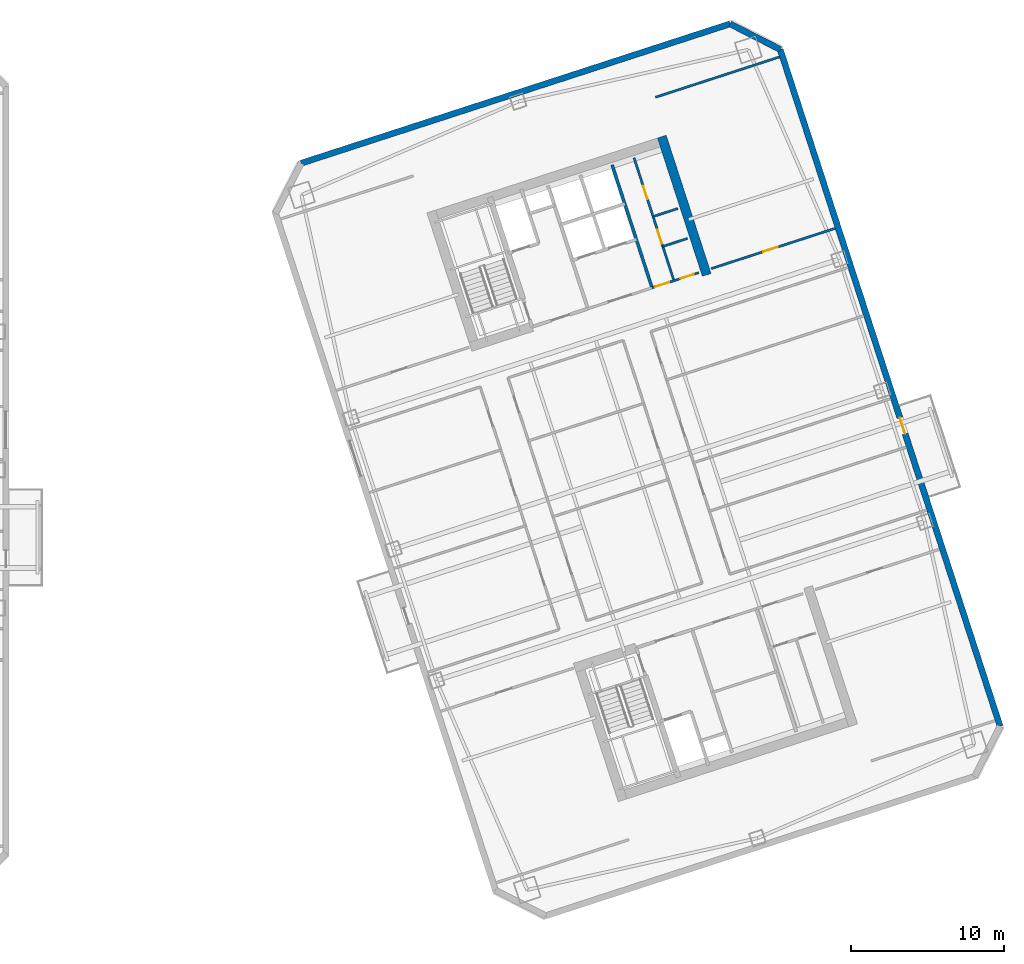
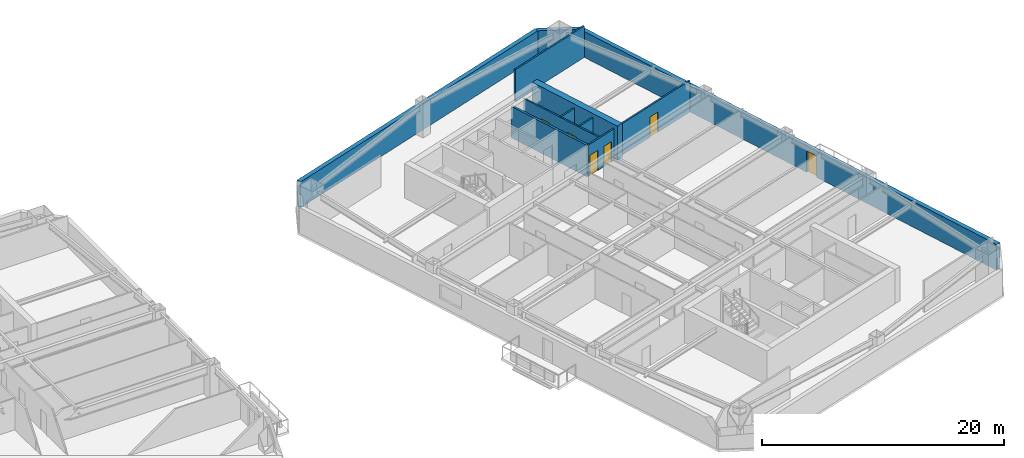
# One storey, part 9 of 14: 11 walls, 6 doors, 6 openings.
"""IFC4 building model written with IfcOpenShell, lengths in metres."""

from ifc_helpers import new_model, si_unit, direction, frame, frame_2d, origin, place, context, subcontext, project, spatial, rectangle, extrude, material, layer, layer_set, type_object, element, fill, save


model = new_model("IFC4")

# Units and contexts
model_context = context("Model", 3, precision=1e-05, world=origin(), true_north=direction((0.0, 1.0)))
body_context = subcontext(model_context, "Body", "Model", "MODEL_VIEW")
ifc_project = project(units=[si_unit("LENGTHUNIT", "METRE"), si_unit("AREAUNIT", "SQUARE_METRE"), si_unit("VOLUMEUNIT", "CUBIC_METRE"), si_unit("PLANEANGLEUNIT", "RADIAN"), si_unit("MASSUNIT", "GRAM", prefix="KILO")], contexts=[model_context])

# Site, building, storey
site_placement = place(None, origin())
site = spatial("IfcSite", under=ifc_project, at=site_placement, CompositionType="ELEMENT")
building_placement = place(site_placement, origin())
building = spatial("IfcBuilding", under=site, at=building_placement, Name="Qiaolan Cultural Towers", CompositionType="ELEMENT")
storey_placement = place(building_placement, frame((0.0, 0.0, 124.199951171875)))
storey = spatial("IfcBuildingStorey", under=building, at=storey_placement, Name="L32", CompositionType="ELEMENT", Elevation=124.199951171875)

# Walls
ifc_material_1 = material(Name="Concrete C55", Category="concrete")
ifc_layer_1 = layer(ifc_material_1, 0.60009765625)
ifc_layer_set_1 = layer_set([ifc_layer_1], Name="Concrete C55")
wall_type_1 = type_object("IfcWallType", Name="WL-CORE-600", PredefinedType="SHEAR", material=ifc_layer_set_1)
wall_1_placement = place(storey_placement, frame((94.4921875, 46.710205078125, 0.0), z_axis=(0.0, 0.0, 1.0), x_axis=(-0.309010370028, 0.95105866865, 0.0)))
element("IfcWall", 1, at=wall_1_placement, inside=storey, type_object=wall_type_1, Name="L32 T2-CN East Core Shear Wall", PredefinedType="SHEAR", context=body_context, shape_type="SweptSolid", body=[
    extrude(rectangle(XDim=9.47998046875, YDim=0.60009765625, at=frame_2d((4.739990234375, 0.0))), origin(), (0.0, 0.0, 1.0), 3.449951171875),
])
ifc_material_2 = material(Name="Precast Concrete C50 Honed Stone Pier", Category="masonry")
ifc_layer_2 = layer(ifc_material_2, 0.39990234375)
ifc_layer_set_2 = layer_set([ifc_layer_2], Name="Precast Concrete C50 Honed Stone Pier")
wall_type_2 = type_object("IfcWallType", Name="WL-EXT-PIER-400", PredefinedType="SOLIDWALL", material=ifc_layer_set_2)
wall_2_placement = place(storey_placement, frame((68.046875, 53.99462890625, 0.0), z_axis=(0.0, 0.0, 1.0), x_axis=(0.95105505922, 0.309021478754, 0.0)))
element("IfcWall", 2, at=wall_2_placement, inside=storey, type_object=wall_type_2, Name="L32 East Tower Precast Pier Facade Wall F3", PredefinedType="SOLIDWALL", context=body_context, shape_type="SweptSolid", body=[
    extrude(rectangle(XDim=29.39990234375, YDim=0.39990234375, at=frame_2d((14.699951171875, 0.0))), origin(), (0.0, 0.0, 1.0), 2.610107421875),
])
wall_3_placement = place(storey_placement, frame((96.0078125, 63.079833984375, 0.0), z_axis=(0.0, 0.0, 1.0), x_axis=(0.891001999643, -0.45399937955, 0.0)))
element("IfcWall", 3, at=wall_3_placement, inside=storey, type_object=wall_type_2, Name="L32 East Tower Precast Pier Facade Wall F4", PredefinedType="SOLIDWALL", context=body_context, shape_type="SweptSolid", body=[
    extrude(rectangle(XDim=3.67724609375, YDim=0.39990234375, at=frame_2d((1.838623046875, 0.0))), origin(), (0.0, 0.0, 1.0), 2.610107421875),
])

# Wall, opening, door
wall_4_placement = place(storey_placement, frame((99.2841796875, 61.410400390625, 0.0), z_axis=(0.0, 0.0, 1.0), x_axis=(0.309017542002, -0.95105633836, 0.0)))
wall_4 = element("IfcWall", 4, at=wall_4_placement, inside=storey, type_object=wall_type_2, Name="L32 East Tower Precast Pier Facade Wall F5", PredefinedType="SOLIDWALL", context=body_context, shape_type="SweptSolid", body=[
    extrude(rectangle(XDim=46.39990234375, YDim=0.39990234375, at=frame_2d((23.199951171875, 0.0))), origin(), (0.0, 0.0, 1.0), 2.610107421875),
])
opening_1_placement = place(wall_4_placement, frame((25.25, 0.0, 0.0)))
opening_1 = element("IfcOpeningElement", 5, at=opening_1_placement, cuts=wall_4, Name="Opening BD-01", PredefinedType="OPENING", context=body_context, shape_type="SweptSolid", body=[
    extrude(rectangle(XDim=1.10009765625, YDim=2.14990234375, at=frame_2d((0.550048828125, 1.074951171875))), frame((0.0, 0.2099609375, 0.0), z_axis=(0.0, -1.0, 0.0), x_axis=(1.0, 0.0, 0.0)), (0.0, 0.0, 1.0), 0.419921875),
])
ifc_material_3 = material(Name="Thermally Broken Aluminium Glazed Terrace Door", Category="aluminium")
door_type_1 = type_object("IfcDoorType", Name="DR-BAL-1100", OperationType="NOTDEFINED", PredefinedType="DOOR", material=ifc_material_3)
door_1_placement = place(opening_1_placement, origin())
door_1 = element("IfcDoor", 6, at=door_1_placement, inside=storey, type_object=door_type_1, Name="L32 T2 East Tree Balcony Door", OperationType="SINGLE_SWING_RIGHT", OverallHeight=2.14990234375, OverallWidth=1.10009765625, PredefinedType="DOOR", context=body_context, shape_type="SweptSolid", body=[
    extrude(rectangle(XDim=1.10009765625, YDim=2.14990234375, at=frame_2d((0.550048828125, 1.074951171875))), frame((0.0, 0.02490234375, 0.0), z_axis=(0.0, -1.0, 0.0), x_axis=(1.0, 0.0, 0.0)), (0.0, 0.0, 1.0), 0.050048828125),
])
fill(opening_1, door_1)

# Wall
ifc_material_4 = material(Name="Concrete C35 Fire Wall", Category="concrete")
ifc_layer_3 = layer(ifc_material_4, 0.199951171875)
ifc_layer_set_3 = layer_set([ifc_layer_3], Name="Concrete C35 Fire Wall")
wall_type_3 = type_object("IfcWallType", Name="WL-FIRE-200", PredefinedType="PARTITIONING", material=ifc_layer_set_3)
wall_5_placement = place(storey_placement, frame((90.92822265625, 45.86767578125, 0.0), z_axis=(0.0, 0.0, 1.0), x_axis=(-0.309042196757, 0.951048327176, 0.0)))
element("IfcWall", 7, at=wall_5_placement, inside=storey, type_object=wall_type_3, Name="L32 T2-CN Lift Core East Wall", PredefinedType="PARTITIONING", context=body_context, shape_type="SweptSolid", body=[
    extrude(rectangle(XDim=8.429931640625, YDim=0.199951171875, at=frame_2d((4.21484375, 0.0))), origin(), (0.0, 0.0, 1.0), 3.175048828125),
])

# Wall, openings, doors
ifc_material_5 = material(Name="Autoclaved Aerated Concrete Block B06", Category="concrete")
ifc_layer_4 = layer(ifc_material_5, 0.14990234375)
ifc_layer_set_4 = layer_set([ifc_layer_4], Name="Autoclaved Aerated Concrete Block B06")
wall_type_4 = type_object("IfcWallType", Name="WL-PART-150", PredefinedType="PARTITIONING", material=ifc_layer_set_4)
wall_6_placement = place(storey_placement, frame((90.92822265625, 45.86767578125, 0.0), z_axis=(0.0, 0.0, 1.0), x_axis=(0.951059297078, 0.309008435874, 0.0)))
wall_6 = element("IfcWall", 8, at=wall_6_placement, inside=storey, type_object=wall_type_4, Name="L32 T2-CN Sanitary Core Front Wall", PredefinedType="PARTITIONING", context=body_context, shape_type="SweptSolid", body=[
    extrude(rectangle(XDim=3.19970703125, YDim=0.14990234375, at=frame_2d((1.599853515625, 0.0))), origin(), (0.0, 0.0, 1.0), 3.175048828125),
])
opening_2_placement = place(wall_6_placement, frame((0.219970703125, 0.0, 0.0)))
opening_2 = element("IfcOpeningElement", 9, at=opening_2_placement, cuts=wall_6, Name="Opening ID-05", PredefinedType="OPENING", context=body_context, shape_type="SweptSolid", body=[
    extrude(rectangle(XDim=0.949951171875, YDim=2.050048828125, at=frame_2d((0.47509765625, 1.02490234375))), frame((0.0, 0.0849609375, 0.0), z_axis=(0.0, -1.0, 0.0), x_axis=(1.0, 0.0, 0.0)), (0.0, 0.0, 1.0), 0.169921875),
])
opening_3_placement = place(wall_6_placement, frame((1.949951171875, 0.0, 0.0)))
opening_3 = element("IfcOpeningElement", 10, at=opening_3_placement, cuts=wall_6, Name="Opening ID-06", PredefinedType="OPENING", context=body_context, shape_type="SweptSolid", body=[
    extrude(rectangle(XDim=0.89990234375, YDim=2.050048828125, at=frame_2d((0.449951171875, 1.02490234375))), frame((0.0, 0.0849609375, 0.0), z_axis=(0.0, -1.0, 0.0), x_axis=(1.0, 0.0, 0.0)), (0.0, 0.0, 1.0), 0.169921875),
])
ifc_material_6 = material(Name="Fire-Rated Laminate Core Service Door", Category="timber")
door_type_2 = type_object("IfcDoorType", Name="DR-INT-900", OperationType="NOTDEFINED", PredefinedType="DOOR", material=ifc_material_6)
door_2_placement = place(opening_3_placement, origin())
door_2 = element("IfcDoor", 11, at=door_2_placement, inside=storey, type_object=door_type_2, Name="L32 Core Tea Pantry Door", OperationType="SINGLE_SWING_RIGHT", OverallHeight=2.050048828125, OverallWidth=0.89990234375, PredefinedType="DOOR", context=body_context, shape_type="SweptSolid", body=[
    extrude(rectangle(XDim=0.89990234375, YDim=2.050048828125, at=frame_2d((0.449951171875, 1.02490234375))), frame((0.0, 0.02490234375, 0.0), z_axis=(0.0, -1.0, 0.0), x_axis=(1.0, 0.0, 0.0)), (0.0, 0.0, 1.0), 0.050048828125),
])
fill(opening_3, door_2)
ifc_material_7 = material(Name="Fire-Rated Laminate Accessible Core Door", Category="timber")
door_type_3 = type_object("IfcDoorType", Name="DR-INT-950", OperationType="NOTDEFINED", PredefinedType="DOOR", material=ifc_material_7)
door_3_placement = place(opening_2_placement, origin())
door_3 = element("IfcDoor", 12, at=door_3_placement, inside=storey, type_object=door_type_3, Name="L32 Sanitary Passage Door", OperationType="SINGLE_SWING_LEFT", OverallHeight=2.050048828125, OverallWidth=0.949951171875, PredefinedType="DOOR", context=body_context, shape_type="SweptSolid", body=[
    extrude(rectangle(XDim=0.949951171875, YDim=2.050048828125, at=frame_2d((0.47509765625, 1.02490234375))), frame((0.0, 0.02490234375, 0.0), z_axis=(0.0, -1.0, 0.0), x_axis=(1.0, 0.0, 0.0)), (0.0, 0.0, 1.0), 0.050048828125),
])
fill(opening_2, door_3)

wall_7_placement = place(storey_placement, frame((92.354736328125, 46.3310546875, 0.0), z_axis=(0.0, 0.0, 1.0), x_axis=(-0.309007490203, 0.951059604335, 0.0)))
wall_7 = element("IfcWall", 13, at=wall_7_placement, inside=storey, type_object=wall_type_4, Name="L32 T2-CN Sanitary Corridor Wall", PredefinedType="PARTITIONING", context=body_context, shape_type="SweptSolid", body=[
    extrude(rectangle(XDim=8.43017578125, YDim=0.14990234375, at=frame_2d((4.215087890625, 0.0))), origin(), (0.0, 0.0, 1.0), 3.175048828125),
])
opening_4_placement = place(wall_7_placement, frame((2.550048828125, 0.0, 0.0)))
opening_4 = element("IfcOpeningElement", 14, at=opening_4_placement, cuts=wall_7, Name="Opening ID-05", PredefinedType="OPENING", context=body_context, shape_type="SweptSolid", body=[
    extrude(rectangle(XDim=0.949951171875, YDim=2.050048828125, at=frame_2d((0.47509765625, 1.02490234375))), frame((0.0, 0.0849609375, 0.0), z_axis=(0.0, -1.0, 0.0), x_axis=(1.0, 0.0, 0.0)), (0.0, 0.0, 1.0), 0.169921875),
])
opening_5_placement = place(wall_7_placement, frame((5.60009765625, 0.0, 0.0)))
opening_5 = element("IfcOpeningElement", 15, at=opening_5_placement, cuts=wall_7, Name="Opening ID-06", PredefinedType="OPENING", context=body_context, shape_type="SweptSolid", body=[
    extrude(rectangle(XDim=0.89990234375, YDim=2.050048828125, at=frame_2d((0.449951171875, 1.02490234375))), frame((0.0, 0.0849609375, 0.0), z_axis=(0.0, -1.0, 0.0), x_axis=(1.0, 0.0, 0.0)), (0.0, 0.0, 1.0), 0.169921875),
])
door_4_placement = place(opening_5_placement, origin())
door_4 = element("IfcDoor", 16, at=door_4_placement, inside=storey, type_object=door_type_2, Name="L32 Staff Restroom Door", OperationType="SINGLE_SWING_RIGHT", OverallHeight=2.050048828125, OverallWidth=0.89990234375, PredefinedType="DOOR", context=body_context, shape_type="SweptSolid", body=[
    extrude(rectangle(XDim=0.89990234375, YDim=2.050048828125, at=frame_2d((0.449951171875, 1.02490234375))), frame((0.0, 0.02490234375, 0.0), z_axis=(0.0, -1.0, 0.0), x_axis=(1.0, 0.0, 0.0)), (0.0, 0.0, 1.0), 0.050048828125),
])
fill(opening_5, door_4)
door_5_placement = place(opening_4_placement, origin())
door_5 = element("IfcDoor", 17, at=door_5_placement, inside=storey, type_object=door_type_3, Name="L32 Accessible Washroom Door", OperationType="SINGLE_SWING_LEFT", OverallHeight=2.050048828125, OverallWidth=0.949951171875, PredefinedType="DOOR", context=body_context, shape_type="SweptSolid", body=[
    extrude(rectangle(XDim=0.949951171875, YDim=2.050048828125, at=frame_2d((0.47509765625, 1.02490234375))), frame((0.0, 0.02490234375, 0.0), z_axis=(0.0, -1.0, 0.0), x_axis=(1.0, 0.0, 0.0)), (0.0, 0.0, 1.0), 0.050048828125),
])
fill(opening_4, door_5)

# Walls
wall_8_placement = place(storey_placement, frame((90.9951171875, 50.515869140625, 0.0), z_axis=(0.0, 0.0, 1.0), x_axis=(0.951040401051, 0.309066587596, 0.0)))
element("IfcWall", 18, at=wall_8_placement, inside=storey, type_object=wall_type_4, Name="L32 T2-CN Restroom Split Wall", PredefinedType="PARTITIONING", context=body_context, shape_type="SweptSolid", body=[
    extrude(rectangle(XDim=1.699951171875, YDim=0.14990234375, at=frame_2d((0.85009765625, 0.0))), origin(), (0.0, 0.0, 1.0), 3.175048828125),
])
wall_9_placement = place(storey_placement, frame((91.62841796875, 48.566162109375, 0.0), z_axis=(0.0, 0.0, 1.0), x_axis=(0.951054116971, 0.309024378638, 0.0)))
element("IfcWall", 19, at=wall_9_placement, inside=storey, type_object=wall_type_4, Name="L32 T2-CN Core Pantry Wall", PredefinedType="PARTITIONING", context=body_context, shape_type="SweptSolid", body=[
    extrude(rectangle(XDim=1.7001953125, YDim=0.14990234375, at=frame_2d((0.85009765625, 0.0))), origin(), (0.0, 0.0, 1.0), 3.175048828125),
])
wall_10_placement = place(storey_placement, frame((91.14892578125, 58.294189453125, 0.0), z_axis=(0.0, 0.0, 1.0), x_axis=(0.951062770994, 0.308997743729, 0.0)))
element("IfcWall", 20, at=wall_10_placement, inside=storey, type_object=wall_type_4, Name="L32 T2 Flank Wall FLK-NE", PredefinedType="PARTITIONING", context=body_context, shape_type="SweptSolid", body=[
    extrude(rectangle(XDim=8.5, YDim=0.14990234375, at=frame_2d((4.25, 0.0))), origin(), (0.0, 0.0, 1.0), 3.175048828125),
])

# Wall, opening, door
wall_11_placement = place(storey_placement, frame((94.77978515625, 47.119140625, 0.0), z_axis=(0.0, 0.0, 1.0), x_axis=(0.951054329824, 0.309023723562, 0.0)))
wall_11 = element("IfcWall", 21, at=wall_11_placement, inside=storey, type_object=wall_type_4, Name="L32 T2 Flank Front FLK-NE", PredefinedType="PARTITIONING", context=body_context, shape_type="SweptSolid", body=[
    extrude(rectangle(XDim=8.5, YDim=0.14990234375, at=frame_2d((4.25, 0.0))), origin(), (0.0, 0.0, 1.0), 3.175048828125),
])
opening_6_placement = place(wall_11_placement, frame((3.570068359375, 0.0, 0.0)))
opening_6 = element("IfcOpeningElement", 22, at=opening_6_placement, cuts=wall_11, Name="Opening ID-04", PredefinedType="OPENING", context=body_context, shape_type="SweptSolid", body=[
    extrude(rectangle(XDim=1.0, YDim=2.050048828125, at=frame_2d((0.5, 1.02490234375))), frame((0.0, 0.0849609375, 0.0), z_axis=(0.0, -1.0, 0.0), x_axis=(1.0, 0.0, 0.0)), (0.0, 0.0, 1.0), 0.169921875),
])
ifc_material_8 = material(Name="Oak Veneer Acoustic Office Door", Category="timber")
door_type_4 = type_object("IfcDoorType", Name="DR-INT-1000", OperationType="NOTDEFINED", PredefinedType="DOOR", material=ifc_material_8)
door_6_placement = place(opening_6_placement, origin())
door_6 = element("IfcDoor", 23, at=door_6_placement, inside=storey, type_object=door_type_4, Name="L32 T2 Corner Studio Door", OperationType="SINGLE_SWING_LEFT", OverallHeight=2.050048828125, OverallWidth=1.0, PredefinedType="DOOR", context=body_context, shape_type="SweptSolid", body=[
    extrude(rectangle(XDim=1.0, YDim=2.050048828125, at=frame_2d((0.5, 1.02490234375))), frame((0.0, 0.02490234375, 0.0), z_axis=(0.0, -1.0, 0.0), x_axis=(1.0, 0.0, 0.0)), (0.0, 0.0, 1.0), 0.050048828125),
])
fill(opening_6, door_6)

save(model, "model.ifc")
